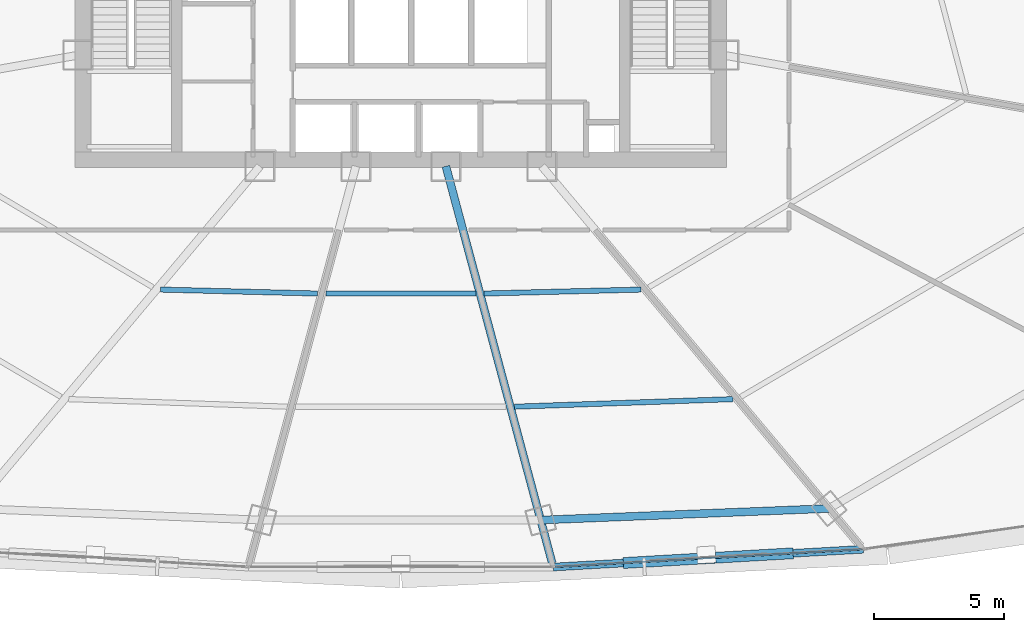
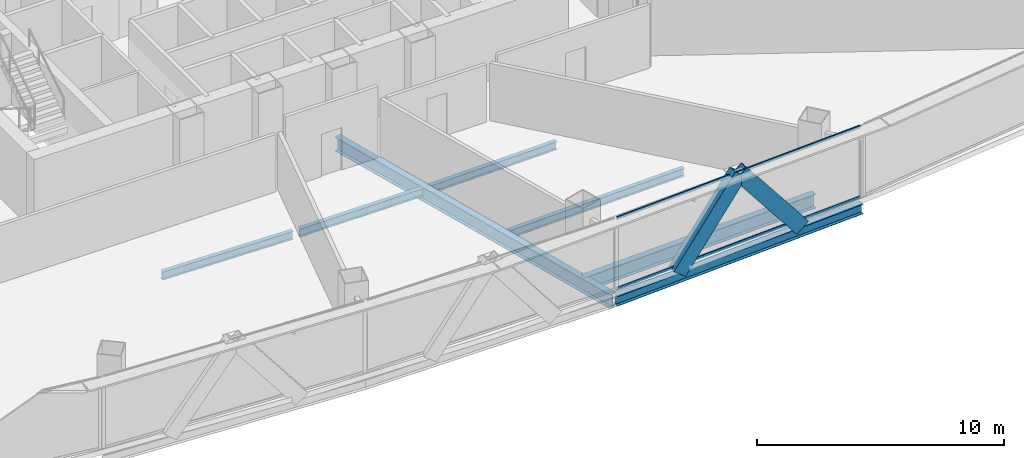
# One storey, part 11 of 39: 7 beams, 4 members, 1 element without a shape of its own.
"""IFC4 building model written with IfcOpenShell, lengths in metres."""

from ifc_helpers import new_model, si_unit, direction, frame, origin, origin_2d, place, context, subcontext, project, spatial, hollow_rectangle, i_section, extrude, source, transform, mapped, material, layer, layer_set, material_profile, profile_set, type_object, element, aggregate, save


model = new_model("IFC4")

# Units and contexts
model_context = context("Model", 3, precision=1e-05, world=origin(), true_north=direction((0.0, 1.0)))
body_context = subcontext(model_context, "Body", "Model", "MODEL_VIEW")
ifc_project = project(units=[si_unit("LENGTHUNIT", "METRE"), si_unit("AREAUNIT", "SQUARE_METRE"), si_unit("VOLUMEUNIT", "CUBIC_METRE"), si_unit("PLANEANGLEUNIT", "RADIAN"), si_unit("MASSUNIT", "GRAM", prefix="KILO"), si_unit("THERMODYNAMICTEMPERATUREUNIT", "KELVIN"), si_unit("POWERUNIT", "WATT")], contexts=[model_context])

# Site, building, storey
site_placement = place(None, origin())
site = spatial("IfcSite", under=ifc_project, at=site_placement, CompositionType="ELEMENT")
building_placement = place(site_placement, origin())
building = spatial("IfcBuilding", under=site, at=building_placement, Name="Yunzhuo Pagoda Commons", CompositionType="ELEMENT")
storey_placement = place(building_placement, frame((0.0, 0.0, 100.179931640625)))
storey = spatial("IfcBuildingStorey", under=building, at=storey_placement, Name="L25", CompositionType="ELEMENT", Elevation=100.179931640625)

# Beams
ifc_material_1 = material(Name="Structural steel Q355B", Category="steel")
ifc_material_profile_1 = material_profile(ifc_material_1, i_section(OverallWidth=0.300048828125, OverallDepth=0.699951171875, WebThickness=0.012939453125, FlangeThickness=0.02392578125, at=origin_2d()), Name="Structural steel Q355B")
ifc_profile_set_1 = profile_set([ifc_material_profile_1], Name="Structural steel Q355B")
beam_type_1 = type_object("IfcBeamType", Name="B-RG1 Beam HN 700x300x13x24", PredefinedType="BEAM", material=ifc_profile_set_1)
shared_shape_1 = source(origin(), body_context, "Body", "SweptSolid", [
    extrude(i_section(OverallWidth=0.300048828125, OverallDepth=0.699951171875, WebThickness=0.012939453125, FlangeThickness=0.02392578125, at=origin_2d()), origin(), (0.0, 0.0, 1.0), 11.077392578125),
])
beam_1_placement = place(storey_placement, frame((53.367431640625, 13.66845703125, -0.60986328125), z_axis=(0.999196975427, 0.040067496776, 0.0), x_axis=(-0.040067496776, 0.999196975427, 0.0)))
element("IfcBeam", 1, at=beam_1_placement, inside=storey, type_object=beam_type_1, Name="L25 column-ring beam 3", PredefinedType="BEAM", context=body_context, shape_type="MappedRepresentation", body=[
    mapped(shared_shape_1, transform((0.0, 0.0, 0.0), scale=1.0)),
])
ifc_material_profile_2 = material_profile(ifc_material_1, i_section(OverallWidth=0.199951171875, OverallDepth=0.39990234375, WebThickness=0.008056640625, FlangeThickness=0.012939453125, at=origin_2d()), Name="Structural steel Q355B")
ifc_profile_set_2 = profile_set([ifc_material_profile_2], Name="Structural steel Q355B")
beam_type_2 = type_object("IfcBeamType", Name="B-JS1 Joist HN 400x200x8x13", PredefinedType="JOIST", material=ifc_profile_set_2)
shared_shape_2 = source(origin(), body_context, "Body", "SweptSolid", [
    extrude(i_section(OverallWidth=0.199951171875, OverallDepth=0.39990234375, WebThickness=0.008056640625, FlangeThickness=0.012939453125, at=origin_2d()), origin(), (0.0, 0.0, 1.0), 6.026611328125),
])
for number, where, z_axis, x_axis, name in (
    (2, (38.778076171875, 22.516357421875, -0.4599609375), (0.99968248871, -0.025197654009, 0.0), (0.025197654009, 0.99968248871, 0.0), "L25 composite ring joist 1.1"),
    (3, (51.197265625, 22.364501953125, -0.4599609375), (0.99968248871, 0.025197654009, 0.0), (-0.025197654009, 0.99968248871, 0.0), "L25 composite ring joist 1.3"),
):
    element("IfcBeam", number, at=place(storey_placement, frame(where, z_axis=z_axis, x_axis=x_axis)), inside=storey, type_object=beam_type_2, Name=name, PredefinedType="JOIST", context=body_context, shape_type="MappedRepresentation", body=[
        mapped(shared_shape_2, transform((0.0, 0.0, 0.0), scale=1.0)),
    ])
shared_shape_3 = source(origin(), body_context, "Body", "SweptSolid", [
    extrude(i_section(OverallWidth=0.199951171875, OverallDepth=0.39990234375, WebThickness=0.008056640625, FlangeThickness=0.012939453125, at=origin_2d()), origin(), (0.0, 0.0, 1.0), 8.392822265625),
])
beam_2_placement = place(storey_placement, frame((52.36181640625, 18.020263671875, -0.4599609375), z_axis=(0.999400667027, 0.034616567521, 0.0), x_axis=(-0.034616567521, 0.999400667027, 0.0)))
element("IfcBeam", 4, at=beam_2_placement, inside=storey, type_object=beam_type_2, Name="L25 composite ring joist 2.3", PredefinedType="JOIST", context=body_context, shape_type="MappedRepresentation", body=[
    mapped(shared_shape_3, transform((0.0, 0.0, 0.0), scale=1.0)),
])
shared_shape_4 = source(origin(), body_context, "Body", "SweptSolid", [
    extrude(i_section(OverallWidth=0.199951171875, OverallDepth=0.39990234375, WebThickness=0.008056640625, FlangeThickness=0.012939453125, at=origin_2d()), origin(), (0.0, 0.0, 1.0), 5.7587890625),
])
beam_3_placement = place(storey_placement, frame((45.120849609375, 22.360595703125, -0.4599609375), z_axis=(1.0, 0.0, 0.0), x_axis=(0.0, 1.0, 0.0)))
element("IfcBeam", 5, at=beam_3_placement, inside=storey, type_object=beam_type_2, Name="L25 composite ring joist 1.2", PredefinedType="JOIST", context=body_context, shape_type="MappedRepresentation", body=[
    mapped(shared_shape_4, transform((0.0, 0.0, 0.0), scale=1.0)),
])
shared_shape_5 = source(origin(), body_context, "Body", "SweptSolid", [
    extrude(i_section(OverallWidth=0.300048828125, OverallDepth=0.699951171875, WebThickness=0.012939453125, FlangeThickness=0.02392578125, at=origin_2d()), origin(), (0.0, 0.0, 1.0), 15.7734375),
])
beam_4_placement = place(storey_placement, frame((53.810791015625, 12.013916015625, -0.60986328125), z_axis=(-0.258805972264, 0.965929329051, 0.0), x_axis=(-0.965929329051, -0.258805972264, 0.0)))
element("IfcBeam", 6, at=beam_4_placement, inside=storey, type_object=beam_type_1, Name="L25 radial floor girder F1C3", PredefinedType="BEAM", context=body_context, shape_type="MappedRepresentation", body=[
    mapped(shared_shape_5, transform((0.0, 0.0, 0.0), scale=1.0)),
])
ifc_material_profile_3 = material_profile(ifc_material_1, i_section(OverallWidth=0.300048828125, OverallDepth=0.488037109375, WebThickness=0.010986328125, FlangeThickness=0.01806640625, at=origin_2d()), Name="Structural steel Q355B")
ifc_profile_set_3 = profile_set([ifc_material_profile_3], Name="Structural steel Q355B")
beam_type_3 = type_object("IfcBeamType", Name="B-SP1 Beam HM 488x300x11x18", PredefinedType="BEAM", material=ifc_profile_set_3)
shared_shape_6 = source(origin(), body_context, "Body", "SweptSolid", [
    extrude(i_section(OverallWidth=0.300048828125, OverallDepth=0.488037109375, WebThickness=0.010986328125, FlangeThickness=0.01806640625, at=origin_2d()), origin(), (0.0, 0.0, 1.0), 11.918212890625),
])
beam_5_placement = place(storey_placement, frame((53.850830078125, 11.8642578125, -0.50390625), z_axis=(0.998357270024, 0.057295387165, 0.0), x_axis=(-0.057295387165, 0.998357270024, 0.0)))
element("IfcBeam", 7, at=beam_5_placement, inside=storey, type_object=beam_type_3, Name="L25 facade edge spandrel beam F1.3", PredefinedType="BEAM", context=body_context, shape_type="MappedRepresentation", body=[
    mapped(shared_shape_6, transform((0.0, 0.0, 0.0), scale=1.0)),
])

# Members
ifc_material_2 = material(Name="Structural steel Q420B", Category="steel")
ifc_material_profile_4 = material_profile(ifc_material_2, hollow_rectangle(XDim=0.419921875, YDim=0.719970703125, WallThickness=0.028076171875, at=origin_2d()), Name="Structural steel Q420B")
ifc_profile_set_4 = profile_set([ifc_material_profile_4], Name="Structural steel Q420B")
member_type_1 = type_object("IfcMemberType", Name="M-DL1 Brace BOX 720x420x28", PredefinedType="BRACE", material=ifc_profile_set_4)
shared_shape_7 = source(origin(), body_context, "Body", "SweptSolid", [
    extrude(hollow_rectangle(XDim=0.419921875, YDim=0.719970703125, WallThickness=0.028076171875, at=origin_2d()), origin(), (0.0, 0.0, 1.0), 4.828857421875),
])
for number, where, z_axis, x_axis, name in (
    (8, (56.82568359375, 12.034912109375, -0.260009765625), (0.616005584005, 0.035441555679, 0.786944100052), (-0.057439481454, 0.998348990068, 0.0), "L25 facade diamond brace F1.3L"),
    (9, (62.77490234375, 12.37646484375, -0.260009765625), (-0.616008888359, -0.035290069277, 0.786948321348), (0.057194469261, -0.998363056551, 0.0), "L25 facade diamond brace F1.3R"),
):
    element("IfcMember", number, at=place(storey_placement, frame(where, z_axis=z_axis, x_axis=x_axis)), inside=storey, type_object=member_type_1, Name=name, PredefinedType="BRACE", context=body_context, shape_type="MappedRepresentation", body=[
        mapped(shared_shape_7, transform((0.0, 0.0, 0.0), scale=1.0)),
    ])

# Curtain wall, members
ifc_material_3 = material(Name="Anodized aluminium 6063-T6", Category="aluminium")
ifc_layer = layer(ifc_material_3, 0.1650390625)
ifc_layer_set = layer_set([ifc_layer], Name="Anodized aluminium 6063-T6")
curtain_wall_type = type_object("IfcCurtainWallType", Name="CW-LOW Low-Zone Ribbon Curtain Wall", PredefinedType="NOTDEFINED", material=ifc_layer_set)
curtain_wall_placement = place(storey_placement, origin())
curtain_wall = element("IfcCurtainWall", 10, at=curtain_wall_placement, inside=storey, type_object=curtain_wall_type, Name="L25 curtain wall CW-L25-F1B4", PredefinedType="NOTDEFINED")
ifc_material_profile_5 = material_profile(ifc_material_3, hollow_rectangle(XDim=0.06005859375, YDim=0.139892578125, WallThickness=0.00341796875, at=origin_2d()), Name="Anodized aluminium 6063-T6")
ifc_profile_set_5 = profile_set([ifc_material_profile_5], Name="Anodized aluminium 6063-T6")
member_type_2 = type_object("IfcMemberType", Name="CW-LOW-T Transom RHS 140x60x3.5", PredefinedType="USERDEFINED", material=ifc_profile_set_5)
shared_shape_8 = source(origin(), body_context, "Body", "SweptSolid", [
    extrude(hollow_rectangle(XDim=0.06005859375, YDim=0.139892578125, WallThickness=0.00341796875, at=origin_2d()), origin(), (0.0, 0.0, 1.0), 11.787841796875),
])
member_1_placement = place(storey_placement, frame((53.916015625, 11.867919921875, 0.030029296875), z_axis=(0.998356572529, 0.057307539544, 0.0), x_axis=(-0.057307539544, 0.998356572529, 0.0)))
member_1 = element("IfcMember", 11, at=member_1_placement, type_object=member_type_2, Name="CW transom 1.1", ObjectType="TRANSOM", PredefinedType="USERDEFINED", context=body_context, shape_type="MappedRepresentation", body=[
    mapped(shared_shape_8, transform((0.0, 0.0, 0.0), scale=1.0)),
])
member_2_placement = place(storey_placement, frame((53.916015625, 11.867919921875, 3.510009765625), z_axis=(0.998356572529, 0.057307539544, 0.0), x_axis=(-0.057307539544, 0.998356572529, 0.0)))
member_2 = element("IfcMember", 12, at=member_2_placement, type_object=member_type_2, Name="CW transom 1.2", ObjectType="TRANSOM", PredefinedType="USERDEFINED", context=body_context, shape_type="MappedRepresentation", body=[
    mapped(shared_shape_8, transform((0.0, 0.0, 0.0), scale=1.0)),
])
aggregate(curtain_wall, [member_1, member_2])

save(model, "model.ifc")
